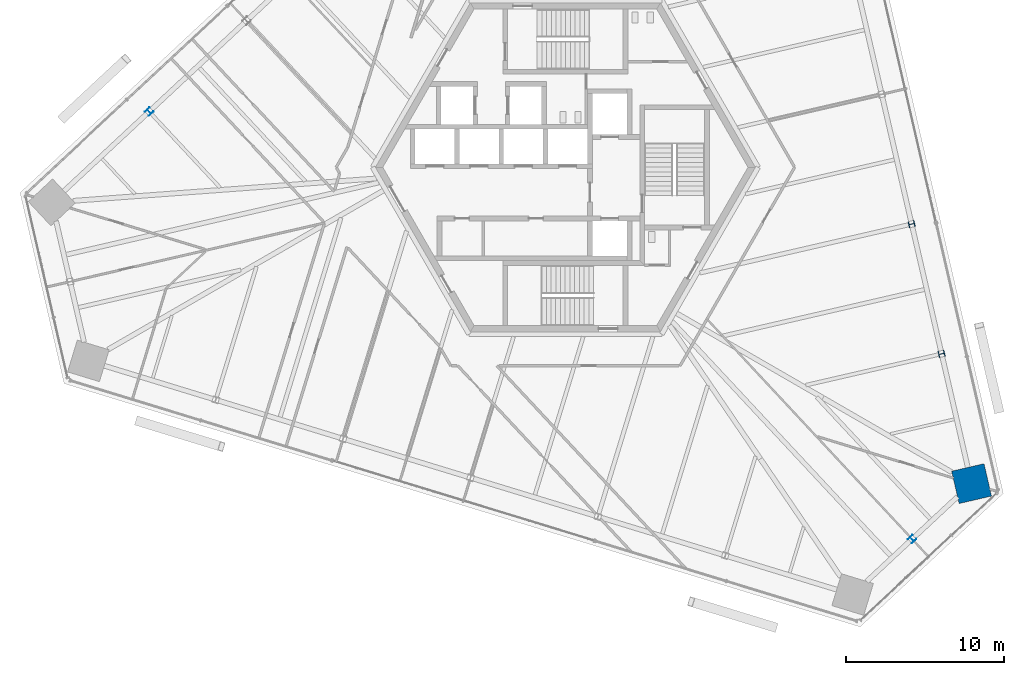
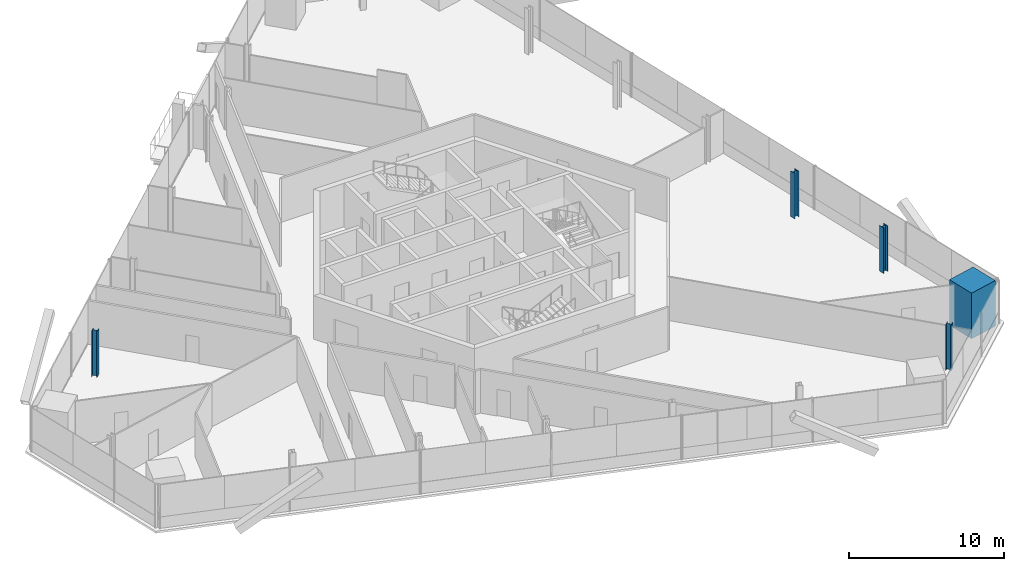
# One storey, part 2 of 18: 5 columns.
"""IFC4 building model written with IfcOpenShell, lengths in metres."""

from ifc_helpers import new_model, si_unit, direction, frame, origin, origin_2d, place, context, subcontext, project, spatial, rectangle, i_section, extrude, source, transform, mapped, material, material_profile, profile_set, type_object, element, save


model = new_model("IFC4")

# Units and contexts
model_context = context("Model", 3, precision=1e-05, world=origin(), true_north=direction((0.0, 1.0)))
body_context = subcontext(model_context, "Body", "Model", "MODEL_VIEW")
ifc_project = project(units=[si_unit("LENGTHUNIT", "METRE"), si_unit("AREAUNIT", "SQUARE_METRE"), si_unit("VOLUMEUNIT", "CUBIC_METRE"), si_unit("PLANEANGLEUNIT", "RADIAN"), si_unit("MASSUNIT", "GRAM", prefix="KILO")], contexts=[model_context])

# Site, building, storey
site_placement = place(None, origin())
site = spatial("IfcSite", under=ifc_project, at=site_placement, CompositionType="ELEMENT")
building_placement = place(site_placement, origin())
building = spatial("IfcBuilding", under=site, at=building_placement, Name="Triune Harvest Tower", CompositionType="ELEMENT")
storey_placement = place(building_placement, frame((0.0, 0.0, 101.89990234375)))
storey = spatial("IfcBuildingStorey", under=building, at=storey_placement, Name="L25", CompositionType="ELEMENT", Elevation=101.89990234375)

# Columns
ifc_material_1 = material(Name="Concrete 70 MPa", Category="concrete")
ifc_material_profile_1 = material_profile(ifc_material_1, rectangle(XDim=2.10009765625, YDim=2.10009765625, at=origin_2d()), Name="Composite 2100x2100")
ifc_profile_set_1 = profile_set([ifc_material_profile_1], Name="Concrete 70 MPa")
column_type_1 = type_object("IfcColumnType", Name="MC-3 Mega column Composite 2100x2100", PredefinedType="COLUMN", material=ifc_profile_set_1)
shared_shape_1 = source(origin(), body_context, "Body", "SweptSolid", [
    extrude(rectangle(XDim=2.10009765625, YDim=2.10009765625, at=origin_2d()), origin(), (0.0, 0.0, 1.0), 3.60009765625),
])
column_placement = place(storey_placement, frame((25.65869140625, -19.983642578125, 0.0), z_axis=(0.0, 0.0, 1.0), x_axis=(-0.22495275494, 0.97436967217, 0.0)))
element("IfcColumn", 1, at=column_placement, inside=storey, type_object=column_type_1, Name="col/L25/M0", PredefinedType="COLUMN", context=body_context, shape_type="MappedRepresentation", body=[
    mapped(shared_shape_1, transform((0.0, 0.0, 0.0), scale=1.0)),
])
ifc_material_2 = material(Name="Steel ASTM A992 Gr 50", Category="steel")
ifc_material_profile_2 = material_profile(ifc_material_2, i_section(OverallWidth=0.396240234375, OverallDepth=0.381103515625, WebThickness=0.01904296875, FlangeThickness=0.0302734375, at=origin_2d()), Name="W14x159")
ifc_profile_set_2 = profile_set([ifc_material_profile_2], Name="Steel ASTM A992 Gr 50")
column_type_2 = type_object("IfcColumnType", Name="PC-3 Perimeter column W14x159", PredefinedType="COLUMN", material=ifc_profile_set_2)
shared_shape_2 = source(origin(), body_context, "Body", "SweptSolid", [
    extrude(i_section(OverallWidth=0.396240234375, OverallDepth=0.381103515625, WebThickness=0.01904296875, FlangeThickness=0.0302734375, at=origin_2d()), origin(), (0.0, 0.0, 1.0), 3.60009765625),
])
for number, where, z_axis, x_axis, name in (
    (2, (23.765869140625, -11.784912109375, 0.0), (0.0, 0.0, 1.0), (-0.22495275494, 0.97436967217, 0.0), "col/L25/P1"),
    (3, (21.872802734375, -3.5859375, 0.0), (0.0, 0.0, 1.0), (-0.22495275494, 0.97436967217, 0.0), "col/L25/P2"),
    (4, (-26.29248046875, 3.51953125, 0.0), (0.0, 0.0, 1.0), (-0.73135489193, -0.681997083608, 0.0), "col/L25/P13"),
    (5, (21.90185546875, -23.48681640625, 0.0), (0.0, 0.0, 1.0), (0.731353701619, 0.681998360062, 0.0), "col/L25/P23"),
):
    element("IfcColumn", number, at=place(storey_placement, frame(where, z_axis=z_axis, x_axis=x_axis)), inside=storey, type_object=column_type_2, Name=name, PredefinedType="COLUMN", context=body_context, shape_type="MappedRepresentation", body=[
        mapped(shared_shape_2, transform((0.0, 0.0, 0.0), scale=1.0)),
    ])

save(model, "model.ifc")
